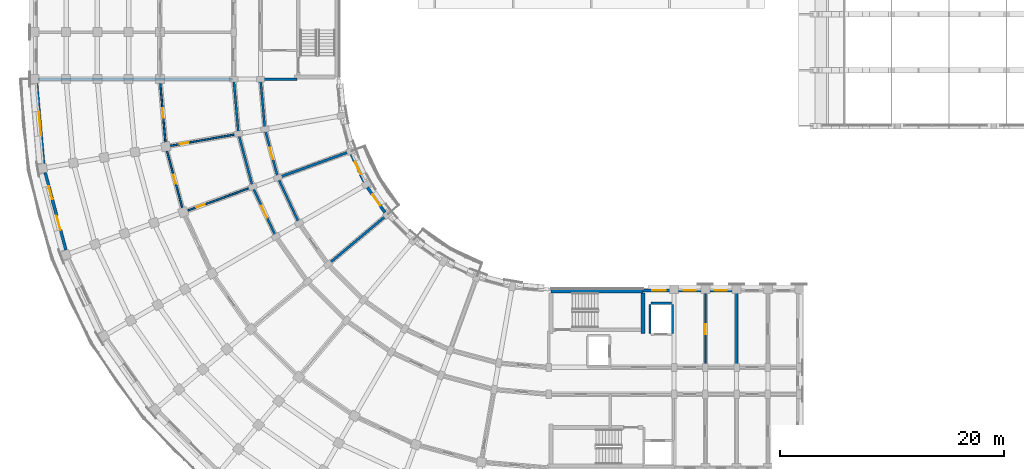
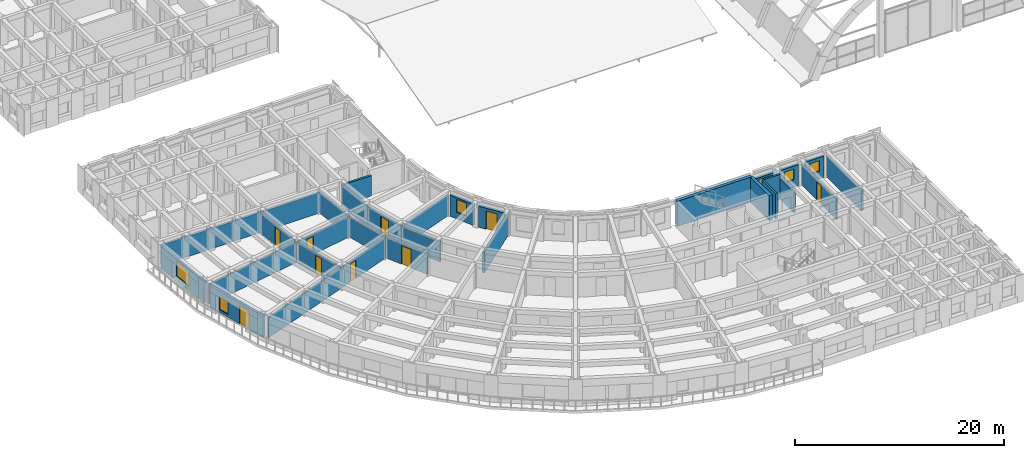
# One storey, part 38 of 76: 28 walls, 9 doors, 6 windows, 15 openings.
"""IFC4 building model written with IfcOpenShell, lengths in metres."""

from ifc_helpers import new_model, si_unit, direction, frame, frame_2d, origin, place, context, subcontext, project, spatial, rectangle, extrude, material, layer, layer_set, type_object, element, fill, save


model = new_model("IFC4")

# Units and contexts
model_context = context("Model", 3, precision=1e-05, world=origin(), true_north=direction((0.0, 1.0)))
body_context = subcontext(model_context, "Body", "Model", "MODEL_VIEW")
ifc_project = project(units=[si_unit("LENGTHUNIT", "METRE"), si_unit("AREAUNIT", "SQUARE_METRE"), si_unit("VOLUMEUNIT", "CUBIC_METRE"), si_unit("PLANEANGLEUNIT", "RADIAN"), si_unit("MASSUNIT", "GRAM", prefix="KILO")], contexts=[model_context])

# Site, building, storey
site_placement = place(None, origin())
site = spatial("IfcSite", under=ifc_project, at=site_placement, CompositionType="ELEMENT")
building_placement = place(site_placement, origin())
building = spatial("IfcBuilding", under=site, at=building_placement, Name="Kiranvali Square Residences", CompositionType="ELEMENT")
storey_placement = place(building_placement, frame((0.0, 0.0, 8.699951171875)))
storey = spatial("IfcBuildingStorey", under=building, at=storey_placement, Name="L02", CompositionType="ELEMENT", Elevation=8.699951171875)

# Wall
ifc_material_1 = material(Name="Autoclaved aerated concrete blockwork masonry", Category="masonry")
ifc_layer_1 = layer(ifc_material_1, 0.199951171875)
ifc_layer_set_1 = layer_set([ifc_layer_1], Name="Autoclaved aerated concrete blockwork masonry")
wall_type_1 = type_object("IfcWallType", Name="WL-COR-200", PredefinedType="STANDARD", material=ifc_layer_set_1)
wall_1_placement = place(storey_placement, frame((25.8564453125, 35.300048828125, 0.0), z_axis=(0.0, 0.0, 1.0), x_axis=(-0.422617978463, 0.906307919131, 0.0)))
element("IfcWall", 1, at=wall_1_placement, inside=storey, type_object=wall_type_1, Name="L02 architectural wall WL-L02-C-CCI-6", PredefinedType="STANDARD", context=body_context, shape_type="SweptSolid", body=[
    extrude(rectangle(XDim=4.497314453125, YDim=0.199951171875, at=frame_2d((2.24853515625, 0.0))), origin(), (0.0, 0.0, 1.0), 2.3720703125),
])

# Wall, opening, door
wall_2_placement = place(storey_placement, frame((23.778076171875, 34.10009765625, 0.0), z_axis=(0.0, 0.0, 1.0), x_axis=(-0.422629854778, 0.906302381024, 0.0)))
wall_2 = element("IfcWall", 2, at=wall_2_placement, inside=storey, type_object=wall_type_1, Name="L02 architectural wall WL-L02-C-CCO-6", PredefinedType="STANDARD", context=body_context, shape_type="SweptSolid", body=[
    extrude(rectangle(XDim=4.915283203125, YDim=0.199951171875, at=frame_2d((2.45751953125, 0.0))), origin(), (0.0, 0.0, 1.0), 2.3720703125),
])
opening_1_placement = place(wall_2_placement, frame((1.8876953125, 0.0, 0.0)))
opening_1 = element("IfcOpeningElement", 3, at=opening_1_placement, cuts=wall_2, Name="Opening FD-APT-60D", PredefinedType="OPENING", context=body_context, shape_type="SweptSolid", body=[
    extrude(rectangle(XDim=1.139892578125, YDim=2.14990234375, at=frame_2d((0.56982421875, 1.074951171875))), frame((0.0, 0.10986328125, 0.0), z_axis=(0.0, -1.0, 0.0), x_axis=(1.0, 0.0, 0.0)), (0.0, 0.0, 1.0), 0.219970703125),
])
ifc_material_2 = material(Name="Fire-rated acoustic hardwood and mineral-core door assembly", Category="wood")
door_type_1 = type_object("IfcDoorType", Name="DR-APT-1140", OperationType="NOTDEFINED", PredefinedType="DOOR", material=ifc_material_2)
door_1_placement = place(opening_1_placement, origin())
door_1 = element("IfcDoor", 4, at=door_1_placement, inside=storey, type_object=door_type_1, Name="L02 door DR-L02-1887 (DR-APT-1140)", OperationType="SINGLE_SWING_LEFT", OverallHeight=2.14990234375, OverallWidth=1.139892578125, PredefinedType="DOOR", context=body_context, shape_type="SweptSolid", body=[
    extrude(rectangle(XDim=1.139892578125, YDim=2.14990234375, at=frame_2d((0.56982421875, 1.074951171875))), frame((0.0, 0.02490234375, 0.0), z_axis=(0.0, -1.0, 0.0), x_axis=(1.0, 0.0, 0.0)), (0.0, 0.0, 1.0), 0.050048828125),
])
fill(opening_1, door_1)

wall_3_placement = place(storey_placement, frame((23.955810546875, 39.3759765625, 0.0), z_axis=(0.0, 0.0, 1.0), x_axis=(-0.258787642463, 0.965934240054, 0.0)))
wall_3 = element("IfcWall", 5, at=wall_3_placement, inside=storey, type_object=wall_type_1, Name="L02 architectural wall WL-L02-C-CCI-7", PredefinedType="STANDARD", context=body_context, shape_type="SweptSolid", body=[
    extrude(rectangle(XDim=4.497314453125, YDim=0.199951171875, at=frame_2d((2.24853515625, 0.0))), origin(), (0.0, 0.0, 1.0), 2.3720703125),
])
opening_2_placement = place(wall_3_placement, frame((1.728515625, 0.0, 0.0)))
opening_2 = element("IfcOpeningElement", 6, at=opening_2_placement, cuts=wall_3, Name="Opening FD-APT-60B", PredefinedType="OPENING", context=body_context, shape_type="SweptSolid", body=[
    extrude(rectangle(XDim=1.0400390625, YDim=2.14990234375, at=frame_2d((0.52001953125, 1.074951171875))), frame((0.0, 0.10986328125, 0.0), z_axis=(0.0, -1.0, 0.0), x_axis=(1.0, 0.0, 0.0)), (0.0, 0.0, 1.0), 0.219970703125),
])
door_type_2 = type_object("IfcDoorType", Name="DR-APT-1040", OperationType="NOTDEFINED", PredefinedType="DOOR", material=ifc_material_2)
door_2_placement = place(opening_2_placement, frame((1.0400390625, 0.0, 0.0), z_axis=(0.0, 0.0, 1.0), x_axis=(-1.0, 0.0, 0.0)))
door_2 = element("IfcDoor", 7, at=door_2_placement, inside=storey, type_object=door_type_2, Name="L02 door DR-L02-1894 (DR-APT-1040)", OperationType="SINGLE_SWING_RIGHT", OverallHeight=2.14990234375, OverallWidth=1.0400390625, PredefinedType="DOOR", context=body_context, shape_type="SweptSolid", body=[
    extrude(rectangle(XDim=1.0400390625, YDim=2.14990234375, at=frame_2d((0.52001953125, 1.074951171875))), frame((0.0, 0.02490234375, 0.0), z_axis=(0.0, -1.0, 0.0), x_axis=(1.0, 0.0, 0.0)), (0.0, 0.0, 1.0), 0.050048828125),
])
fill(opening_2, door_2)

# Walls
wall_4_placement = place(storey_placement, frame((21.70068359375, 38.554931640625, 0.0), z_axis=(0.0, 0.0, 1.0), x_axis=(-0.258803112091, 0.965930095386, 0.0)))
element("IfcWall", 8, at=wall_4_placement, inside=storey, type_object=wall_type_1, Name="L02 architectural wall WL-L02-C-CCO-7", PredefinedType="STANDARD", context=body_context, shape_type="SweptSolid", body=[
    extrude(rectangle(XDim=4.915771484375, YDim=0.199951171875, at=frame_2d((2.4580078125, 0.0))), origin(), (0.0, 0.0, 1.0), 2.3720703125),
])
wall_5_placement = place(storey_placement, frame((22.7919921875, 43.719970703125, 0.0), z_axis=(0.0, 0.0, 1.0), x_axis=(-0.087187153726, 0.996191949488, 0.0)))
element("IfcWall", 9, at=wall_5_placement, inside=storey, type_object=wall_type_1, Name="L02 architectural wall WL-L02-C-CCI-8", PredefinedType="STANDARD", context=body_context, shape_type="SweptSolid", body=[
    extrude(rectangle(XDim=4.4970703125, YDim=0.199951171875, at=frame_2d((2.24853515625, 0.0))), origin(), (0.0, 0.0, 1.0), 2.3720703125),
])
wall_6_placement = place(storey_placement, frame((20.428466796875, 43.30322265625, 0.0), z_axis=(0.0, 0.0, 1.0), x_axis=(-0.087167566415, 0.996193663584, 0.0)))
element("IfcWall", 10, at=wall_6_placement, inside=storey, type_object=wall_type_1, Name="L02 architectural wall WL-L02-C-CCO-8", PredefinedType="STANDARD", context=body_context, shape_type="SweptSolid", body=[
    extrude(rectangle(XDim=4.91552734375, YDim=0.199951171875, at=frame_2d((2.457763671875, 0.0))), origin(), (0.0, 0.0, 1.0), 2.3720703125),
])
ifc_layer_2 = layer(ifc_material_1, 0.219970703125)
ifc_layer_set_2 = layer_set([ifc_layer_2], Name="Autoclaved aerated concrete blockwork masonry")
wall_type_2 = type_object("IfcWallType", Name="WL-DEM-220", PredefinedType="STANDARD", material=ifc_layer_set_2)
for number, where, z_axis, x_axis, name in (
    (11, (65.0, 29.199951171875, 0.0), (0.0, 0.0, 1.0), (0.0, -1.0, 0.0), "L02 architectural wall WL-L02-C-A1TI-2"),
    (12, (33.645263671875, 35.987060546875, 0.0), (0.0, 0.0, 1.0), (-0.766046761698, -0.642784846501, 0.0), "L02 architectural wall WL-L02-C-RADI-5"),
    (13, (30.345947265625, 41.70166015625, 0.0), (0.0, 0.0, 1.0), (-0.939696231917, -0.342010221662, 0.0), "L02 architectural wall WL-L02-C-RADI-7"),
):
    element("IfcWall", number, at=place(storey_placement, frame(where, z_axis=z_axis, x_axis=x_axis)), inside=storey, type_object=wall_type_2, Name=name, PredefinedType="STANDARD", context=body_context, shape_type="SweptSolid", body=[
        extrude(rectangle(XDim=6.75, YDim=0.219970703125, at=frame_2d((3.375, 0.0))), origin(), (0.0, 0.0, 1.0), 2.3720703125),
    ])
wall_7_placement = place(storey_placement, frame((25.64990234375, 48.199951171875, 0.0), z_axis=(0.0, 0.0, 1.0), x_axis=(-1.0, 0.0, 0.0)))
element("IfcWall", 14, at=wall_7_placement, inside=storey, type_object=wall_type_2, Name="L02 architectural wall WL-L02-C-RADI-9", PredefinedType="STANDARD", context=body_context, shape_type="SweptSolid", body=[
    extrude(rectangle(XDim=3.199951171875, YDim=0.219970703125, at=frame_2d((1.60009765625, 0.0))), origin(), (0.0, 0.0, 1.0), 2.3720703125),
])
ifc_layer_3 = layer(ifc_material_1, 0.22998046875)
ifc_layer_set_3 = layer_set([ifc_layer_3], Name="Autoclaved aerated concrete blockwork masonry")
wall_type_3 = type_object("IfcWallType", Name="WL-DEM-230", PredefinedType="STANDARD", material=ifc_layer_set_3)
wall_8_placement = place(storey_placement, frame((19.89990234375, 48.199951171875, 0.0), z_axis=(0.0, 0.0, 1.0), x_axis=(-1.0, 0.0, 0.0)))
element("IfcWall", 15, at=wall_8_placement, inside=storey, type_object=wall_type_3, Name="L02 architectural wall WL-L02-C-RADO-9", PredefinedType="STANDARD", context=body_context, shape_type="SweptSolid", body=[
    extrude(rectangle(XDim=17.419921875, YDim=0.22998046875, at=frame_2d((8.7099609375, 0.0))), origin(), (0.0, 0.0, 1.0), 2.3720703125),
])

# Wall, openings, door, window
ifc_material_3 = material(Name="Breathable lime-rendered clay brick masonry", Category="masonry")
ifc_layer_4 = layer(ifc_material_3, 0.27490234375)
ifc_layer_set_4 = layer_set([ifc_layer_4], Name="Breathable lime-rendered clay brick masonry")
wall_type_4 = type_object("IfcWallType", Name="WL-EXT-275", PredefinedType="STANDARD", material=ifc_layer_set_4)
wall_9_placement = place(storey_placement, frame((4.984375, 32.912109375, 0.0), z_axis=(0.0, 0.0, 1.0), x_axis=(-0.258826933296, 0.965923712619, 0.0)))
wall_9 = element("IfcWall", 16, at=wall_9_placement, inside=storey, type_object=wall_type_4, Name="L02 exterior wall C-L02-CRV-07", PredefinedType="STANDARD", context=body_context, shape_type="SweptSolid", body=[
    extrude(rectangle(XDim=7.1640625, YDim=0.27490234375, at=frame_2d((3.58203125, 0.0))), origin(), (0.0, 0.0, 1.0), 2.47216796875),
])
opening_3_placement = place(wall_9_placement, frame((4.6904296875, 0.0, 0.322021484375)))
opening_3 = element("IfcOpeningElement", 17, at=opening_3_placement, cuts=wall_9, Name="Opening W-06", PredefinedType="OPENING", context=body_context, shape_type="SweptSolid", body=[
    extrude(rectangle(XDim=1.199951171875, YDim=1.5, at=frame_2d((0.60009765625, 0.75))), frame((0.0, 0.1474609375, 0.0), z_axis=(0.0, -1.0, 0.0), x_axis=(1.0, 0.0, 0.0)), (0.0, 0.0, 1.0), 0.294921875),
])
opening_4_placement = place(wall_9_placement, frame((1.847412109375, 0.0, 0.0)))
opening_4 = element("IfcOpeningElement", 18, at=opening_4_placement, cuts=wall_9, Name="Opening ED-BAL-3", PredefinedType="OPENING", context=body_context, shape_type="SweptSolid", body=[
    extrude(rectangle(XDim=1.320068359375, YDim=2.14990234375, at=frame_2d((0.66015625, 1.074951171875))), frame((0.0, 0.1474609375, 0.0), z_axis=(0.0, -1.0, 0.0), x_axis=(1.0, 0.0, 0.0)), (0.0, 0.0, 1.0), 0.294921875),
])
ifc_material_4 = material(Name="Anodised bronze aluminium framing", Category="aluminium")
door_type_3 = type_object("IfcDoorType", Name="DR-BAL-1320", OperationType="NOTDEFINED", PredefinedType="DOOR", material=ifc_material_4)
door_3_placement = place(opening_4_placement, origin())
door_3 = element("IfcDoor", 19, at=door_3_placement, inside=storey, type_object=door_type_3, Name="L02 balcony terrace door", OperationType="SINGLE_SWING_RIGHT", OverallHeight=2.14990234375, OverallWidth=1.320068359375, PredefinedType="DOOR", context=body_context, shape_type="SweptSolid", body=[
    extrude(rectangle(XDim=1.320068359375, YDim=2.14990234375, at=frame_2d((0.66015625, 1.074951171875))), frame((0.0, 0.02490234375, 0.0), z_axis=(0.0, -1.0, 0.0), x_axis=(1.0, 0.0, 0.0)), (0.0, 0.0, 1.0), 0.050048828125),
])
fill(opening_4, door_3)
ifc_material_5 = material(Name="Solar-control low-e double glazing", Category="glass")
window_type_1 = type_object("IfcWindowType", Name="WIN-RES-1200x1500", PartitioningType="SINGLE_PANEL", PredefinedType="WINDOW", material=ifc_material_5)
window_1_placement = place(opening_3_placement, origin())
window_1 = element("IfcWindow", 20, at=window_1_placement, inside=storey, type_object=window_type_1, Name="L02 recessed window C-L02-CRV-07", OverallHeight=1.5, OverallWidth=1.199951171875, PartitioningType="SINGLE_PANEL", PredefinedType="WINDOW", context=body_context, shape_type="SweptSolid", body=[
    extrude(rectangle(XDim=1.199951171875, YDim=1.5, at=frame_2d((0.60009765625, 0.75))), frame((0.0, 0.030029296875, 0.0), z_axis=(0.0, -1.0, 0.0), x_axis=(1.0, 0.0, 0.0)), (0.0, 0.0, 1.0), 0.06005859375),
])
fill(opening_3, window_1)

# Wall, opening, window
wall_10_placement = place(storey_placement, frame((2.986083984375, 40.648681640625, 0.0), z_axis=(0.0, 0.0, 1.0), x_axis=(-0.08713989423, 0.99619608453, 0.0)))
wall_10 = element("IfcWall", 21, at=wall_10_placement, inside=storey, type_object=wall_type_4, Name="L02 exterior wall C-L02-CRV-08", PredefinedType="STANDARD", context=body_context, shape_type="SweptSolid", body=[
    extrude(rectangle(XDim=7.1640625, YDim=0.27490234375, at=frame_2d((3.58203125, 0.0))), origin(), (0.0, 0.0, 1.0), 2.47216796875),
])
opening_5_placement = place(wall_10_placement, frame((2.531982421875, 0.0, 0.471923828125)))
opening_5 = element("IfcOpeningElement", 22, at=opening_5_placement, cuts=wall_10, Name="Opening W-03", PredefinedType="OPENING", context=body_context, shape_type="SweptSolid", body=[
    extrude(rectangle(XDim=2.10009765625, YDim=1.800048828125, at=frame_2d((1.050048828125, 0.89990234375))), frame((0.0, 0.1474609375, 0.0), z_axis=(0.0, -1.0, 0.0), x_axis=(1.0, 0.0, 0.0)), (0.0, 0.0, 1.0), 0.294921875),
])
window_type_2 = type_object("IfcWindowType", Name="WIN-RES-2100x1800", PartitioningType="TRIPLE_PANEL_VERTICAL", PredefinedType="WINDOW", material=ifc_material_5)
window_2_placement = place(opening_5_placement, origin())
window_2 = element("IfcWindow", 23, at=window_2_placement, inside=storey, type_object=window_type_2, Name="L02 recessed window C-L02-CRV-08", OverallHeight=1.800048828125, OverallWidth=2.10009765625, PartitioningType="TRIPLE_PANEL_VERTICAL", PredefinedType="WINDOW", context=body_context, shape_type="SweptSolid", body=[
    extrude(rectangle(XDim=2.10009765625, YDim=1.800048828125, at=frame_2d((1.050048828125, 0.89990234375))), frame((0.0, 0.030029296875, 0.0), z_axis=(0.0, -1.0, 0.0), x_axis=(1.0, 0.0, 0.0)), (0.0, 0.0, 1.0), 0.06005859375),
])
fill(opening_5, window_2)

# Wall, opening, door
wall_11_placement = place(storey_placement, frame((33.535400390625, 36.27294921875, 0.0), z_axis=(0.0, 0.0, 1.0), x_axis=(-0.573546755948, 0.81917282593, 0.0)))
wall_11 = element("IfcWall", 24, at=wall_11_placement, inside=storey, type_object=wall_type_4, Name="L02 exterior wall C-L02-GDN-05", PredefinedType="STANDARD", context=body_context, shape_type="SweptSolid", body=[
    extrude(rectangle(XDim=2.717529296875, YDim=0.27490234375, at=frame_2d((1.35888671875, 0.0))), origin(), (0.0, 0.0, 1.0), 2.47216796875),
])
opening_6_placement = place(wall_11_placement, frame((0.7587890625, 0.0, 0.0)))
opening_6 = element("IfcOpeningElement", 25, at=opening_6_placement, cuts=wall_11, Name="Opening ED-BAL-1", PredefinedType="OPENING", context=body_context, shape_type="SweptSolid", body=[
    extrude(rectangle(XDim=1.199951171875, YDim=2.14990234375, at=frame_2d((0.60009765625, 1.074951171875))), frame((0.0, 0.1474609375, 0.0), z_axis=(0.0, -1.0, 0.0), x_axis=(1.0, 0.0, 0.0)), (0.0, 0.0, 1.0), 0.294921875),
])
door_type_4 = type_object("IfcDoorType", Name="DR-BAL-1200", OperationType="NOTDEFINED", PredefinedType="DOOR", material=ifc_material_4)
door_4_placement = place(opening_6_placement, frame((1.199951171875, 0.0, 0.0), z_axis=(0.0, 0.0, 1.0), x_axis=(-1.0, 0.0, 0.0)))
door_4 = element("IfcDoor", 26, at=door_4_placement, inside=storey, type_object=door_type_4, Name="L02 balcony terrace door", OperationType="SINGLE_SWING_RIGHT", OverallHeight=2.14990234375, OverallWidth=1.199951171875, PredefinedType="DOOR", context=body_context, shape_type="SweptSolid", body=[
    extrude(rectangle(XDim=1.199951171875, YDim=2.14990234375, at=frame_2d((0.60009765625, 1.074951171875))), frame((0.0, 0.02490234375, 0.0), z_axis=(0.0, -1.0, 0.0), x_axis=(1.0, 0.0, 0.0)), (0.0, 0.0, 1.0), 0.050048828125),
])
fill(opening_6, door_4)

# Wall, opening, window
wall_12_placement = place(storey_placement, frame((31.687255859375, 39.000732421875, 0.0), z_axis=(0.0, 0.0, 1.0), x_axis=(-0.422610022166, 0.906311629168, 0.0)))
wall_12 = element("IfcWall", 27, at=wall_12_placement, inside=storey, type_object=wall_type_4, Name="L02 exterior wall C-L02-GDN-06", PredefinedType="STANDARD", context=body_context, shape_type="SweptSolid", body=[
    extrude(rectangle(XDim=2.717529296875, YDim=0.27490234375, at=frame_2d((1.35888671875, 0.0))), origin(), (0.0, 0.0, 1.0), 2.47216796875),
])
opening_7_placement = place(wall_12_placement, frame((0.7587890625, 0.0, 0.77197265625)))
opening_7 = element("IfcOpeningElement", 28, at=opening_7_placement, cuts=wall_12, Name="Opening W-06", PredefinedType="OPENING", context=body_context, shape_type="SweptSolid", body=[
    extrude(rectangle(XDim=1.199951171875, YDim=1.5, at=frame_2d((0.60009765625, 0.75))), frame((0.0, 0.1474609375, 0.0), z_axis=(0.0, -1.0, 0.0), x_axis=(1.0, 0.0, 0.0)), (0.0, 0.0, 1.0), 0.294921875),
])
window_3_placement = place(opening_7_placement, origin())
window_3 = element("IfcWindow", 29, at=window_3_placement, inside=storey, type_object=window_type_1, Name="L02 recessed window C-L02-GDN-06", OverallHeight=1.5, OverallWidth=1.199951171875, PartitioningType="SINGLE_PANEL", PredefinedType="WINDOW", context=body_context, shape_type="SweptSolid", body=[
    extrude(rectangle(XDim=1.199951171875, YDim=1.5, at=frame_2d((0.60009765625, 0.75))), frame((0.0, 0.030029296875, 0.0), z_axis=(0.0, -1.0, 0.0), x_axis=(1.0, 0.0, 0.0)), (0.0, 0.0, 1.0), 0.06005859375),
])
fill(opening_7, window_3)

wall_13_placement = place(storey_placement, frame((56.62841796875, 29.27490234375, 0.0), z_axis=(0.0, 0.0, 1.0), x_axis=(1.0, 0.0, 0.0)))
wall_13 = element("IfcWall", 30, at=wall_13_placement, inside=storey, type_object=wall_type_4, Name="L02 exterior wall C-L02-A1IN-0", PredefinedType="STANDARD", context=body_context, shape_type="SweptSolid", body=[
    extrude(rectangle(XDim=2.421630859375, YDim=0.27490234375, at=frame_2d((1.2109375, 0.0))), origin(), (0.0, 0.0, 1.0), 2.47216796875),
])
opening_8_placement = place(wall_13_placement, frame((0.821533203125, 0.0, 0.77197265625)))
opening_8 = element("IfcOpeningElement", 31, at=opening_8_placement, cuts=wall_13, Name="Opening W-06", PredefinedType="OPENING", context=body_context, shape_type="SweptSolid", body=[
    extrude(rectangle(XDim=1.199951171875, YDim=1.5, at=frame_2d((0.60009765625, 0.75))), frame((0.0, 0.1474609375, 0.0), z_axis=(0.0, -1.0, 0.0), x_axis=(1.0, 0.0, 0.0)), (0.0, 0.0, 1.0), 0.294921875),
])
window_4_placement = place(opening_8_placement, origin())
window_4 = element("IfcWindow", 32, at=window_4_placement, inside=storey, type_object=window_type_1, Name="L02 recessed window C-L02-A1IN-0", OverallHeight=1.5, OverallWidth=1.199951171875, PartitioningType="SINGLE_PANEL", PredefinedType="WINDOW", context=body_context, shape_type="SweptSolid", body=[
    extrude(rectangle(XDim=1.199951171875, YDim=1.5, at=frame_2d((0.60009765625, 0.75))), frame((0.0, 0.030029296875, 0.0), z_axis=(0.0, -1.0, 0.0), x_axis=(1.0, 0.0, 0.0)), (0.0, 0.0, 1.0), 0.06005859375),
])
fill(opening_8, window_4)

wall_14_placement = place(storey_placement, frame((59.803466796875, 29.27490234375, 0.0), z_axis=(0.0, 0.0, 1.0), x_axis=(1.0, 0.0, 0.0)))
wall_14 = element("IfcWall", 33, at=wall_14_placement, inside=storey, type_object=wall_type_4, Name="L02 exterior wall C-L02-A1I-0", PredefinedType="STANDARD", context=body_context, shape_type="SweptSolid", body=[
    extrude(rectangle(XDim=1.992919921875, YDim=0.27490234375, at=frame_2d((0.99658203125, 0.0))), origin(), (0.0, 0.0, 1.0), 2.47216796875),
])
opening_9_placement = place(wall_14_placement, frame((0.471435546875, 0.0, 0.8798828125)))
opening_9 = element("IfcOpeningElement", 34, at=opening_9_placement, cuts=wall_14, Name="Opening W-24", PredefinedType="OPENING", context=body_context, shape_type="SweptSolid", body=[
    extrude(rectangle(XDim=1.050048828125, YDim=1.25, at=frame_2d((0.52490234375, 0.625))), frame((0.0, 0.1474609375, 0.0), z_axis=(0.0, -1.0, 0.0), x_axis=(1.0, 0.0, 0.0)), (0.0, 0.0, 1.0), 0.294921875),
])
window_type_3 = type_object("IfcWindowType", Name="WIN-COR-1050x1250", PartitioningType="SINGLE_PANEL", PredefinedType="WINDOW", material=ifc_material_5)
window_5_placement = place(opening_9_placement, origin())
window_5 = element("IfcWindow", 35, at=window_5_placement, inside=storey, type_object=window_type_3, Name="L02 recessed window C-L02-A1I-0", OverallHeight=1.25, OverallWidth=1.050048828125, PartitioningType="SINGLE_PANEL", PredefinedType="WINDOW", context=body_context, shape_type="SweptSolid", body=[
    extrude(rectangle(XDim=1.050048828125, YDim=1.25, at=frame_2d((0.52490234375, 0.625))), frame((0.0, 0.030029296875, 0.0), z_axis=(0.0, -1.0, 0.0), x_axis=(1.0, 0.0, 0.0)), (0.0, 0.0, 1.0), 0.06005859375),
])
fill(opening_9, window_5)

wall_15_placement = place(storey_placement, frame((62.603515625, 29.27490234375, 0.0), z_axis=(0.0, 0.0, 1.0), x_axis=(1.0, 0.0, 0.0)))
wall_15 = element("IfcWall", 36, at=wall_15_placement, inside=storey, type_object=wall_type_4, Name="L02 exterior wall C-L02-A1I-1", PredefinedType="STANDARD", context=body_context, shape_type="SweptSolid", body=[
    extrude(rectangle(XDim=1.992919921875, YDim=0.27490234375, at=frame_2d((0.99658203125, 0.0))), origin(), (0.0, 0.0, 1.0), 2.47216796875),
])
opening_10_placement = place(wall_15_placement, frame((0.471435546875, 0.0, 0.8798828125)))
opening_10 = element("IfcOpeningElement", 37, at=opening_10_placement, cuts=wall_15, Name="Opening W-24", PredefinedType="OPENING", context=body_context, shape_type="SweptSolid", body=[
    extrude(rectangle(XDim=1.050048828125, YDim=1.25, at=frame_2d((0.52490234375, 0.625))), frame((0.0, 0.1474609375, 0.0), z_axis=(0.0, -1.0, 0.0), x_axis=(1.0, 0.0, 0.0)), (0.0, 0.0, 1.0), 0.294921875),
])
window_6_placement = place(opening_10_placement, origin())
window_6 = element("IfcWindow", 38, at=window_6_placement, inside=storey, type_object=window_type_3, Name="L02 recessed window C-L02-A1I-1", OverallHeight=1.25, OverallWidth=1.050048828125, PartitioningType="SINGLE_PANEL", PredefinedType="WINDOW", context=body_context, shape_type="SweptSolid", body=[
    extrude(rectangle(XDim=1.050048828125, YDim=1.25, at=frame_2d((0.52490234375, 0.625))), frame((0.0, 0.030029296875, 0.0), z_axis=(0.0, -1.0, 0.0), x_axis=(1.0, 0.0, 0.0)), (0.0, 0.0, 1.0), 0.06005859375),
])
fill(opening_10, window_6)

# Wall, opening, door
ifc_material_6 = material(Name="Acoustic gypsum board drylined partition", Category="gypsum")
ifc_layer_5 = layer(ifc_material_6, 0.14990234375)
ifc_layer_set_5 = layer_set([ifc_layer_5], Name="Acoustic gypsum board drylined partition")
wall_type_5 = type_object("IfcWallType", Name="WL-PRT-150", PredefinedType="PARTITIONING", material=ifc_layer_set_5)
wall_16_placement = place(storey_placement, frame((62.199951171875, 29.199951171875, 0.0), z_axis=(0.0, 0.0, 1.0), x_axis=(0.0, -1.0, 0.0)))
wall_16 = element("IfcWall", 39, at=wall_16_placement, inside=storey, type_object=wall_type_5, Name="L02 architectural wall WL-L02-C-A1TI-1", PredefinedType="PARTITIONING", context=body_context, shape_type="SweptSolid", body=[
    extrude(rectangle(XDim=6.75, YDim=0.14990234375, at=frame_2d((3.375, 0.0))), origin(), (0.0, 0.0, 1.0), 2.3720703125),
])
opening_11_placement = place(wall_16_placement, frame((2.925048828125, 0.0, 0.0)))
opening_11 = element("IfcOpeningElement", 40, at=opening_11_placement, cuts=wall_16, Name="Opening ID-1", PredefinedType="OPENING", context=body_context, shape_type="SweptSolid", body=[
    extrude(rectangle(XDim=0.89990234375, YDim=2.10009765625, at=frame_2d((0.449951171875, 1.050048828125))), frame((0.0, 0.0849609375, 0.0), z_axis=(0.0, -1.0, 0.0), x_axis=(1.0, 0.0, 0.0)), (0.0, 0.0, 1.0), 0.169921875),
])
ifc_material_7 = material(Name="Solid seasoned teak hardwood joinery", Category="wood")
door_type_5 = type_object("IfcDoorType", Name="DR-INT-900", OperationType="NOTDEFINED", PredefinedType="DOOR", material=ifc_material_7)
door_5_placement = place(opening_11_placement, frame((0.89990234375, 0.0, 0.0), z_axis=(0.0, 0.0, 1.0), x_axis=(-1.0, 0.0, 0.0)))
door_5 = element("IfcDoor", 41, at=door_5_placement, inside=storey, type_object=door_type_5, Name="L02 door DR-L02-1866 (DR-INT-900)", OperationType="SINGLE_SWING_RIGHT", OverallHeight=2.10009765625, OverallWidth=0.89990234375, PredefinedType="DOOR", context=body_context, shape_type="SweptSolid", body=[
    extrude(rectangle(XDim=0.89990234375, YDim=2.10009765625, at=frame_2d((0.449951171875, 1.050048828125))), frame((0.0, 0.02490234375, 0.0), z_axis=(0.0, -1.0, 0.0), x_axis=(1.0, 0.0, 0.0)), (0.0, 0.0, 1.0), 0.050048828125),
])
fill(opening_11, door_5)

wall_17_placement = place(storey_placement, frame((21.606689453125, 38.520751953125, 0.0), z_axis=(0.0, 0.0, 1.0), x_axis=(-0.939691901159, -0.342022120477, 0.0)))
wall_17 = element("IfcWall", 42, at=wall_17_placement, inside=storey, type_object=wall_type_5, Name="L02 architectural wall WL-L02-C-RADO-7", PredefinedType="PARTITIONING", context=body_context, shape_type="SweptSolid", body=[
    extrude(rectangle(XDim=17.419921875, YDim=0.14990234375, at=frame_2d((8.7099609375, 0.0))), origin(), (0.0, 0.0, 1.0), 2.3720703125),
])
opening_12_placement = place(wall_17_placement, frame((4.44970703125, 0.0, 0.0)))
opening_12 = element("IfcOpeningElement", 43, at=opening_12_placement, cuts=wall_17, Name="Opening ID-WET", PredefinedType="OPENING", context=body_context, shape_type="SweptSolid", body=[
    extrude(rectangle(XDim=0.800048828125, YDim=2.10009765625, at=frame_2d((0.39990234375, 1.050048828125))), frame((0.0, 0.0849609375, 0.0), z_axis=(0.0, -1.0, 0.0), x_axis=(1.0, 0.0, 0.0)), (0.0, 0.0, 1.0), 0.169921875),
])
door_type_6 = type_object("IfcDoorType", Name="DR-WET-800", OperationType="NOTDEFINED", PredefinedType="DOOR", material=ifc_material_7)
door_6_placement = place(opening_12_placement, frame((0.800048828125, 0.0, 0.0), z_axis=(0.0, 0.0, 1.0), x_axis=(-1.0, 0.0, 0.0)))
door_6 = element("IfcDoor", 44, at=door_6_placement, inside=storey, type_object=door_type_6, Name="L02 door DR-L02-1876 (DR-WET-800)", OperationType="SINGLE_SWING_RIGHT", OverallHeight=2.10009765625, OverallWidth=0.800048828125, PredefinedType="DOOR", context=body_context, shape_type="SweptSolid", body=[
    extrude(rectangle(XDim=0.800048828125, YDim=2.10009765625, at=frame_2d((0.39990234375, 1.050048828125))), frame((0.0, 0.02490234375, 0.0), z_axis=(0.0, -1.0, 0.0), x_axis=(1.0, 0.0, 0.0)), (0.0, 0.0, 1.0), 0.050048828125),
])
fill(opening_12, door_6)

wall_18_placement = place(storey_placement, frame((20.329833984375, 43.28564453125, 0.0), z_axis=(0.0, 0.0, 1.0), x_axis=(-0.984808098809, -0.173646216546, 0.0)))
wall_18 = element("IfcWall", 45, at=wall_18_placement, inside=storey, type_object=wall_type_5, Name="L02 architectural wall WL-L02-C-RADO-8", PredefinedType="PARTITIONING", context=body_context, shape_type="SweptSolid", body=[
    extrude(rectangle(XDim=17.419921875, YDim=0.14990234375, at=frame_2d((8.7099609375, 0.0))), origin(), (0.0, 0.0, 1.0), 2.3720703125),
])
opening_13_placement = place(wall_18_placement, frame((4.44970703125, 0.0, 0.0)))
opening_13 = element("IfcOpeningElement", 46, at=opening_13_placement, cuts=wall_18, Name="Opening ID-WET", PredefinedType="OPENING", context=body_context, shape_type="SweptSolid", body=[
    extrude(rectangle(XDim=0.800048828125, YDim=2.10009765625, at=frame_2d((0.39990234375, 1.050048828125))), frame((0.0, 0.0849609375, 0.0), z_axis=(0.0, -1.0, 0.0), x_axis=(1.0, 0.0, 0.0)), (0.0, 0.0, 1.0), 0.169921875),
])
door_7_placement = place(opening_13_placement, origin())
door_7 = element("IfcDoor", 47, at=door_7_placement, inside=storey, type_object=door_type_6, Name="L02 door DR-L02-1877 (DR-WET-800)", OperationType="SINGLE_SWING_LEFT", OverallHeight=2.10009765625, OverallWidth=0.800048828125, PredefinedType="DOOR", context=body_context, shape_type="SweptSolid", body=[
    extrude(rectangle(XDim=0.800048828125, YDim=2.10009765625, at=frame_2d((0.39990234375, 1.050048828125))), frame((0.0, 0.02490234375, 0.0), z_axis=(0.0, -1.0, 0.0), x_axis=(1.0, 0.0, 0.0)), (0.0, 0.0, 1.0), 0.050048828125),
])
fill(opening_13, door_7)

# Walls
ifc_layer_6 = layer(ifc_material_1, 0.199951171875)
ifc_layer_set_6 = layer_set([ifc_layer_6], Name="Autoclaved aerated concrete blockwork masonry")
wall_type_6 = type_object("IfcWallType", Name="WL-SHF-200", PredefinedType="STANDARD", material=ifc_layer_set_6)
wall_19_placement = place(storey_placement, frame((57.25, 28.050048828125, 0.0), z_axis=(0.0, 0.0, 1.0), x_axis=(0.0, -1.0, 0.0)))
element("IfcWall", 48, at=wall_19_placement, inside=storey, type_object=wall_type_6, Name="L02 architectural wall WL-L02-C-LP1-S1", PredefinedType="STANDARD", context=body_context, shape_type="SweptSolid", body=[
    extrude(rectangle(XDim=2.60009765625, YDim=0.199951171875, at=frame_2d((1.300048828125, 0.0))), origin(), (0.0, 0.0, 1.0), 2.929931640625),
])
wall_20_placement = place(storey_placement, frame((59.25, 28.050048828125, 0.0), z_axis=(0.0, 0.0, 1.0), x_axis=(0.0, -1.0, 0.0)))
element("IfcWall", 49, at=wall_20_placement, inside=storey, type_object=wall_type_6, Name="L02 architectural wall WL-L02-C-LP1-B", PredefinedType="STANDARD", context=body_context, shape_type="SweptSolid", body=[
    extrude(rectangle(XDim=2.60009765625, YDim=0.199951171875, at=frame_2d((1.300048828125, 0.0))), origin(), (0.0, 0.0, 1.0), 2.3720703125),
])
wall_21_placement = place(storey_placement, frame((57.35009765625, 28.14990234375, 0.0), z_axis=(0.0, 0.0, 1.0), x_axis=(1.0, 0.0, 0.0)))
element("IfcWall", 50, at=wall_21_placement, inside=storey, type_object=wall_type_6, Name="L02 architectural wall WL-L02-C-LP1-S2", PredefinedType="STANDARD", context=body_context, shape_type="SweptSolid", body=[
    extrude(rectangle(XDim=1.7998046875, YDim=0.199951171875, at=frame_2d((0.89990234375, 0.0))), origin(), (0.0, 0.0, 1.0), 2.929931640625),
])
ifc_material_8 = material(Name="Concrete M50 (50 MPa)", Category="concrete")
ifc_layer_7 = layer(ifc_material_8, 0.35009765625)
ifc_layer_set_7 = layer_set([ifc_layer_7], Name="Concrete M50 (50 MPa)")
wall_type_7 = type_object("IfcWallType", Name="WL-SHR-350", PredefinedType="SHEAR", material=ifc_layer_set_7)
wall_22_placement = place(storey_placement, frame((48.375, 29.22509765625, 0.0), z_axis=(0.0, 0.0, 1.0), x_axis=(1.0, 0.0, 0.0)))
element("IfcWall", 51, at=wall_22_placement, inside=storey, type_object=wall_type_7, Name="Block C core shear wall SW-C2-OUT-L02", PredefinedType="SHEAR", context=body_context, shape_type="SweptSolid", body=[
    extrude(rectangle(XDim=8.25, YDim=0.35009765625, at=frame_2d((4.125, 0.0))), origin(), (0.0, 0.0, 1.0), 2.929931640625),
])
wall_23_placement = place(storey_placement, frame((56.625, 29.050048828125, 0.0), z_axis=(0.0, 0.0, 1.0), x_axis=(0.0, -1.0, 0.0)))
element("IfcWall", 52, at=wall_23_placement, inside=storey, type_object=wall_type_7, Name="Block C core shear wall SW-C2-FAR-L02", PredefinedType="SHEAR", context=body_context, shape_type="SweptSolid", body=[
    extrude(rectangle(XDim=3.60009765625, YDim=0.35009765625, at=frame_2d((1.800048828125, 0.0))), origin(), (0.0, 0.0, 1.0), 2.929931640625),
])

# Wall, opening, door
ifc_layer_8 = layer(ifc_material_1, 0.14990234375)
ifc_layer_set_8 = layer_set([ifc_layer_8], Name="Autoclaved aerated concrete blockwork masonry")
wall_type_8 = type_object("IfcWallType", Name="WL-WET-150", PredefinedType="PLUMBINGWALL", material=ifc_layer_set_8)
wall_24_placement = place(storey_placement, frame((15.498779296875, 36.297607421875, 0.0), z_axis=(0.0, 0.0, 1.0), x_axis=(-0.258827283048, 0.965923618901, 0.0)))
wall_24 = element("IfcWall", 53, at=wall_24_placement, inside=storey, type_object=wall_type_8, Name="L02 architectural wall WL-L02-C-CWET-7", PredefinedType="PLUMBINGWALL", context=body_context, shape_type="SweptSolid", body=[
    extrude(rectangle(XDim=6.066162109375, YDim=0.14990234375, at=frame_2d((3.033203125, 0.0))), origin(), (0.0, 0.0, 1.0), 2.3720703125),
])
opening_14_placement = place(wall_24_placement, frame((2.633056640625, 0.0, 0.0)))
opening_14 = element("IfcOpeningElement", 54, at=opening_14_placement, cuts=wall_24, Name="Opening ID-WET", PredefinedType="OPENING", context=body_context, shape_type="SweptSolid", body=[
    extrude(rectangle(XDim=0.800048828125, YDim=2.10009765625, at=frame_2d((0.39990234375, 1.050048828125))), frame((0.0, 0.0849609375, 0.0), z_axis=(0.0, -1.0, 0.0), x_axis=(1.0, 0.0, 0.0)), (0.0, 0.0, 1.0), 0.169921875),
])
door_8_placement = place(opening_14_placement, origin())
door_8 = element("IfcDoor", 55, at=door_8_placement, inside=storey, type_object=door_type_6, Name="L02 door DR-L02-1889 (DR-WET-800)", OperationType="SINGLE_SWING_LEFT", OverallHeight=2.10009765625, OverallWidth=0.800048828125, PredefinedType="DOOR", context=body_context, shape_type="SweptSolid", body=[
    extrude(rectangle(XDim=0.800048828125, YDim=2.10009765625, at=frame_2d((0.39990234375, 1.050048828125))), frame((0.0, 0.02490234375, 0.0), z_axis=(0.0, -1.0, 0.0), x_axis=(1.0, 0.0, 0.0)), (0.0, 0.0, 1.0), 0.050048828125),
])
fill(opening_14, door_8)

wall_25_placement = place(storey_placement, frame((13.9287109375, 42.156982421875, 0.0), z_axis=(0.0, 0.0, 1.0), x_axis=(-0.087174938512, 0.996193018494, 0.0)))
wall_25 = element("IfcWall", 56, at=wall_25_placement, inside=storey, type_object=wall_type_8, Name="L02 architectural wall WL-L02-C-CWET-8", PredefinedType="PLUMBINGWALL", context=body_context, shape_type="SweptSolid", body=[
    extrude(rectangle(XDim=6.066162109375, YDim=0.14990234375, at=frame_2d((3.033203125, 0.0))), origin(), (0.0, 0.0, 1.0), 2.3720703125),
])
opening_15_placement = place(wall_25_placement, frame((2.613037109375, 0.0, 0.0)))
opening_15 = element("IfcOpeningElement", 57, at=opening_15_placement, cuts=wall_25, Name="Opening ID-WET2", PredefinedType="OPENING", context=body_context, shape_type="SweptSolid", body=[
    extrude(rectangle(XDim=0.840087890625, YDim=2.10009765625, at=frame_2d((0.419921875, 1.050048828125))), frame((0.0, 0.0849609375, 0.0), z_axis=(0.0, -1.0, 0.0), x_axis=(1.0, 0.0, 0.0)), (0.0, 0.0, 1.0), 0.169921875),
])
door_type_7 = type_object("IfcDoorType", Name="DR-WET-840", OperationType="NOTDEFINED", PredefinedType="DOOR", material=ifc_material_7)
door_9_placement = place(opening_15_placement, frame((0.840087890625, 0.0, 0.0), z_axis=(0.0, 0.0, 1.0), x_axis=(-1.0, 0.0, 0.0)))
door_9 = element("IfcDoor", 58, at=door_9_placement, inside=storey, type_object=door_type_7, Name="L02 door DR-L02-1890 (DR-WET-840)", OperationType="SINGLE_SWING_RIGHT", OverallHeight=2.10009765625, OverallWidth=0.840087890625, PredefinedType="DOOR", context=body_context, shape_type="SweptSolid", body=[
    extrude(rectangle(XDim=0.840087890625, YDim=2.10009765625, at=frame_2d((0.419921875, 1.050048828125))), frame((0.0, 0.02490234375, 0.0), z_axis=(0.0, -1.0, 0.0), x_axis=(1.0, 0.0, 0.0)), (0.0, 0.0, 1.0), 0.050048828125),
])
fill(opening_15, door_9)

save(model, "model.ifc")
